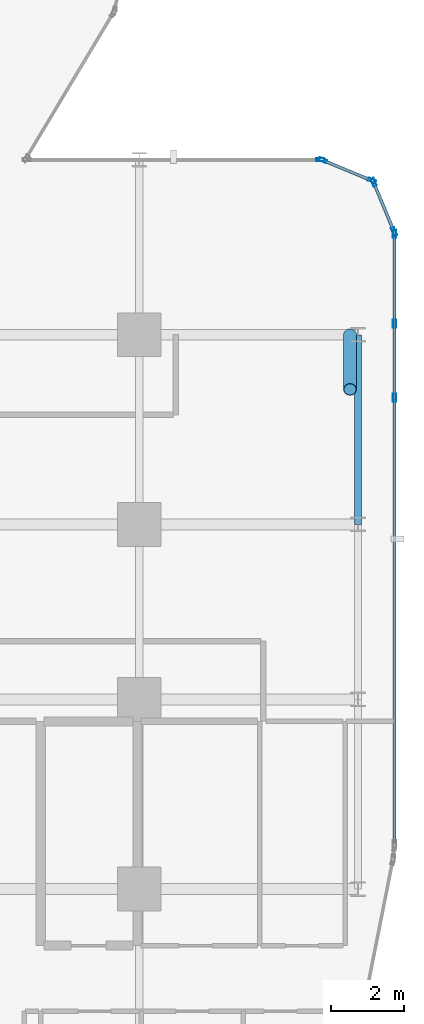
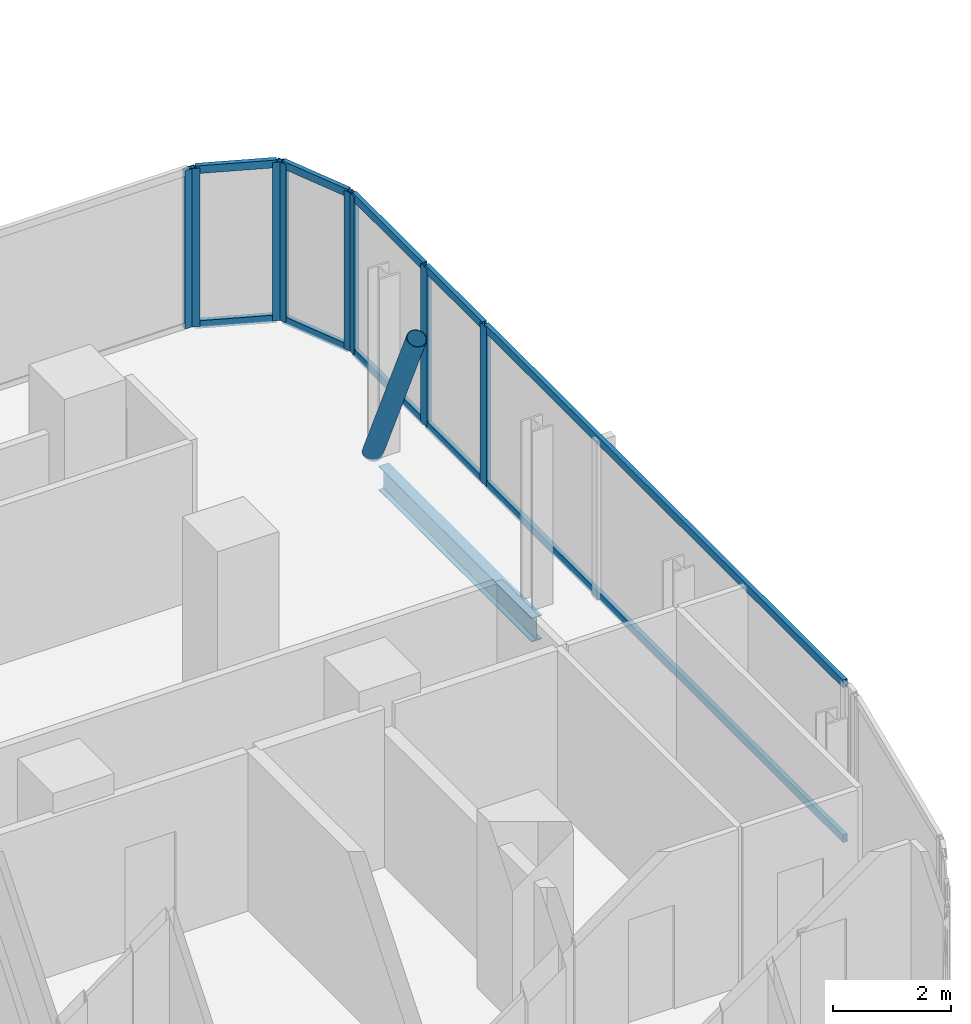
# One storey, part 19 of 34: 19 members, 1 beam, 6 elements without a shape of their own.
"""IFC4 building model written with IfcOpenShell, lengths in metres."""

from ifc_helpers import new_model, si_unit, direction, frame, origin, origin_2d, place, context, subcontext, project, spatial, hollow_rectangle, hollow_circle, i_section, extrude, material, layer, layer_set, material_profile, profile_set, type_object, element, aggregate, save


model = new_model("IFC4")

# Units and contexts
model_context = context("Model", 3, precision=1e-05, world=origin(), true_north=direction((0.0, 1.0)))
body_context = subcontext(model_context, "Body", "Model", "MODEL_VIEW")
ifc_project = project(units=[si_unit("LENGTHUNIT", "METRE"), si_unit("AREAUNIT", "SQUARE_METRE"), si_unit("VOLUMEUNIT", "CUBIC_METRE"), si_unit("PLANEANGLEUNIT", "RADIAN"), si_unit("MASSUNIT", "GRAM", prefix="KILO")], contexts=[model_context])

# Site, building, storey
site_placement = place(None, origin())
site = spatial("IfcSite", under=ifc_project, at=site_placement, CompositionType="ELEMENT")
building_placement = place(site_placement, origin())
building = spatial("IfcBuilding", under=site, at=building_placement, Name="Keshet Zoharim Tower", CompositionType="ELEMENT")
storey_placement = place(building_placement, frame((0.0, 0.0, 77.5)))
storey = spatial("IfcBuildingStorey", under=building, at=storey_placement, Name="L18", CompositionType="ELEMENT", Elevation=77.5)

# Beam
ifc_material_1 = material(Name="Steel S355", Category="steel")
ifc_material_profile_1 = material_profile(ifc_material_1, i_section(OverallWidth=0.199951171875, OverallDepth=0.5, WebThickness=0.01025390625, FlangeThickness=0.01611328125, FilletRadius=0.02099609375, at=origin_2d()), Name="IPE500")
ifc_profile_set_1 = profile_set([ifc_material_profile_1], Name="Steel S355")
beam_type = type_object("IfcBeamType", Name="BM-PRI-IP500", PredefinedType="BEAM", material=ifc_profile_set_1)
beam_placement = place(storey_placement, frame((69.0, 22.699951171875, -0.56494140625), z_axis=(0.0, 1.0, 0.0), x_axis=(-1.0, 0.0, 0.0)))
element("IfcBeam", 1, at=beam_placement, inside=storey, type_object=beam_type, Name="L18 Primary Girder Y-025", PredefinedType="BEAM", context=body_context, shape_type="SweptSolid", body=[
    extrude(i_section(OverallWidth=0.199951171875, OverallDepth=0.5, WebThickness=0.01025390625, FlangeThickness=0.01611328125, FilletRadius=0.02099609375, at=origin_2d()), origin(), (0.0, 0.0, 1.0), 5.199951171875),
])

# Curtain wall, member
ifc_material_2 = material(Name="Aluminium 6063-T6", Category="aluminium")
ifc_layer = layer(ifc_material_2, 0.169921875)
ifc_layer_set = layer_set([ifc_layer], Name="Aluminium 6063-T6")
curtain_wall_type = type_object("IfcCurtainWallType", Name="CW-SYS-02", PredefinedType="NOTDEFINED", material=ifc_layer_set)
curtain_wall_1_placement = place(storey_placement, origin())
curtain_wall_1 = element("IfcCurtainWall", 2, at=curtain_wall_1_placement, inside=storey, type_object=curtain_wall_type, Name="L18 Unitised Curtain Wall 13", PredefinedType="NOTDEFINED")
ifc_material_profile_2 = material_profile(ifc_material_2, hollow_rectangle(XDim=0.090087890625, YDim=0.219970703125, WallThickness=0.0048828125, at=origin_2d()), Name="MUL-90x220")
ifc_profile_set_2 = profile_set([ifc_material_profile_2], Name="Aluminium 6063-T6")
member_type_1 = type_object("IfcMemberType", Name="CWM-M22", PredefinedType="MULLION", material=ifc_profile_set_2)
member_1_placement = place(storey_placement, frame((67.965087890625, 32.699951171875, 0.0), z_axis=(0.0, 0.0, 1.0), x_axis=(0.0, 1.0, 0.0)))
member_1 = element("IfcMember", 3, at=member_1_placement, type_object=member_type_1, Name="CW-02 mullion 2", PredefinedType="MULLION", context=body_context, shape_type="SweptSolid", body=[
    extrude(hollow_rectangle(XDim=0.090087890625, YDim=0.219970703125, WallThickness=0.0048828125, at=origin_2d()), origin(), (0.0, 0.0, 1.0), 3.280029296875),
])
aggregate(curtain_wall_1, [member_1])

# Curtain wall, members
curtain_wall_2_placement = place(storey_placement, origin())
curtain_wall_2 = element("IfcCurtainWall", 4, at=curtain_wall_2_placement, inside=storey, type_object=curtain_wall_type, Name="L18 Unitised Curtain Wall 14", PredefinedType="NOTDEFINED")
member_2_placement = place(storey_placement, frame((68.0322265625, 32.6865234375, 0.0), z_axis=(0.0, 0.0, 1.0), x_axis=(0.382851849847, 0.92380975372, 0.0)))
member_2 = element("IfcMember", 5, at=member_2_placement, type_object=member_type_1, Name="CW-02 mullion 1", PredefinedType="MULLION", context=body_context, shape_type="SweptSolid", body=[
    extrude(hollow_rectangle(XDim=0.090087890625, YDim=0.219970703125, WallThickness=0.0048828125, at=origin_2d()), origin(), (0.0, 0.0, 1.0), 3.280029296875),
])
member_3_placement = place(storey_placement, frame((69.381591796875, 32.12744140625, 0.0), z_axis=(0.0, 0.0, 1.0), x_axis=(0.382851849847, 0.92380975372, 0.0)))
member_3 = element("IfcMember", 6, at=member_3_placement, type_object=member_type_1, Name="CW-02 mullion 2", PredefinedType="MULLION", context=body_context, shape_type="SweptSolid", body=[
    extrude(hollow_rectangle(XDim=0.090087890625, YDim=0.219970703125, WallThickness=0.0048828125, at=origin_2d()), origin(), (0.0, 0.0, 1.0), 3.280029296875),
])

curtain_wall_3_placement = place(storey_placement, origin())
curtain_wall_3 = element("IfcCurtainWall", 7, at=curtain_wall_3_placement, inside=storey, type_object=curtain_wall_type, Name="L18 Unitised Curtain Wall 15", PredefinedType="NOTDEFINED")
member_4_placement = place(storey_placement, frame((69.427490234375, 32.081787109375, 0.0), z_axis=(0.0, 0.0, 1.0), x_axis=(0.92380975372, 0.382851849847, 0.0)))
member_4 = element("IfcMember", 8, at=member_4_placement, type_object=member_type_1, Name="CW-02 mullion 1", PredefinedType="MULLION", context=body_context, shape_type="SweptSolid", body=[
    extrude(hollow_rectangle(XDim=0.090087890625, YDim=0.219970703125, WallThickness=0.0048828125, at=origin_2d()), origin(), (0.0, 0.0, 1.0), 3.280029296875),
])
member_5_placement = place(storey_placement, frame((69.986572265625, 30.732421875, 0.0), z_axis=(0.0, 0.0, 1.0), x_axis=(0.92380975372, 0.382851849847, 0.0)))
member_5 = element("IfcMember", 9, at=member_5_placement, type_object=member_type_1, Name="CW-02 mullion 2", PredefinedType="MULLION", context=body_context, shape_type="SweptSolid", body=[
    extrude(hollow_rectangle(XDim=0.090087890625, YDim=0.219970703125, WallThickness=0.0048828125, at=origin_2d()), origin(), (0.0, 0.0, 1.0), 3.280029296875),
])

curtain_wall_4_placement = place(storey_placement, origin())
curtain_wall_4 = element("IfcCurtainWall", 10, at=curtain_wall_4_placement, inside=storey, type_object=curtain_wall_type, Name="L18 Unitised Curtain Wall 16", PredefinedType="NOTDEFINED")
member_6_placement = place(storey_placement, frame((70.0, 30.6650390625, 0.0), z_axis=(0.0, 0.0, 1.0), x_axis=(1.0, 0.0, 0.0)))
member_6 = element("IfcMember", 11, at=member_6_placement, type_object=member_type_1, Name="CW-02 mullion 1", PredefinedType="MULLION", context=body_context, shape_type="SweptSolid", body=[
    extrude(hollow_rectangle(XDim=0.090087890625, YDim=0.219970703125, WallThickness=0.0048828125, at=origin_2d()), origin(), (0.0, 0.0, 1.0), 3.280029296875),
])
member_7_placement = place(storey_placement, frame((70.0, 28.19677734375, 0.0), z_axis=(0.0, 0.0, 1.0), x_axis=(1.0, 0.0, 0.0)))
member_7 = element("IfcMember", 12, at=member_7_placement, type_object=member_type_1, Name="CW-02 mullion 2", PredefinedType="MULLION", context=body_context, shape_type="SweptSolid", body=[
    extrude(hollow_rectangle(XDim=0.090087890625, YDim=0.219970703125, WallThickness=0.0048828125, at=origin_2d()), origin(), (0.0, 0.0, 1.0), 3.280029296875),
])

# Curtain wall, member
curtain_wall_5_placement = place(storey_placement, origin())
curtain_wall_5 = element("IfcCurtainWall", 13, at=curtain_wall_5_placement, inside=storey, type_object=curtain_wall_type, Name="L18 Unitised Curtain Wall 16 Part 2", PredefinedType="NOTDEFINED")
member_8_placement = place(storey_placement, frame((70.0, 26.17333984375, 0.0), z_axis=(0.0, 0.0, 1.0), x_axis=(1.0, 0.0, 0.0)))
member_8 = element("IfcMember", 14, at=member_8_placement, type_object=member_type_1, Name="CW-02 mullion 2", PredefinedType="MULLION", context=body_context, shape_type="SweptSolid", body=[
    extrude(hollow_rectangle(XDim=0.090087890625, YDim=0.219970703125, WallThickness=0.0048828125, at=origin_2d()), origin(), (0.0, 0.0, 1.0), 3.280029296875),
])

# Member
ifc_material_profile_3 = material_profile(ifc_material_2, hollow_rectangle(XDim=0.0849609375, YDim=0.159912109375, WallThickness=0.00439453125, at=origin_2d()), Name="TRN-85x160")
ifc_profile_set_3 = profile_set([ifc_material_profile_3], Name="Aluminium 6063-T6")
member_type_2 = type_object("IfcMemberType", Name="CWT-T16", PredefinedType="USERDEFINED", material=ifc_profile_set_3)
member_9_placement = place(storey_placement, frame((68.064697265625, 32.673095703125, 0.034912109375), z_axis=(0.923854189844, -0.382744609247, 0.0), x_axis=(0.382744609247, 0.923854189844, 0.0)))
member_9 = element("IfcMember", 15, at=member_9_placement, type_object=member_type_2, Name="CW-02 transom 1.1", ObjectType="TRANSOM", PredefinedType="USERDEFINED", context=body_context, shape_type="SweptSolid", body=[
    extrude(hollow_rectangle(XDim=0.0849609375, YDim=0.159912109375, WallThickness=0.00439453125, at=origin_2d()), origin(), (0.0, 0.0, 1.0), 1.390625),
])

member_10_placement = place(storey_placement, frame((68.064697265625, 32.673095703125, 3.2451171875), z_axis=(0.923854189844, -0.382744609247, 0.0), x_axis=(0.382744609247, 0.923854189844, 0.0)))
member_10 = element("IfcMember", 16, at=member_10_placement, type_object=member_type_2, Name="CW-02 transom 1.2", ObjectType="TRANSOM", PredefinedType="USERDEFINED", context=body_context, shape_type="SweptSolid", body=[
    extrude(hollow_rectangle(XDim=0.0849609375, YDim=0.159912109375, WallThickness=0.00439453125, at=origin_2d()), origin(), (0.0, 0.0, 1.0), 1.390625),
])

aggregate(curtain_wall_2, [member_2, member_3, member_9, member_10])

member_11_placement = place(storey_placement, frame((69.44091796875, 32.04931640625, 0.034912109375), z_axis=(0.382744609247, -0.923854189844, 0.0), x_axis=(0.923854189844, 0.382744609247, 0.0)))
member_11 = element("IfcMember", 17, at=member_11_placement, type_object=member_type_2, Name="CW-02 transom 1.1", ObjectType="TRANSOM", PredefinedType="USERDEFINED", context=body_context, shape_type="SweptSolid", body=[
    extrude(hollow_rectangle(XDim=0.0849609375, YDim=0.159912109375, WallThickness=0.00439453125, at=origin_2d()), origin(), (0.0, 0.0, 1.0), 1.390625),
])

member_12_placement = place(storey_placement, frame((69.44091796875, 32.04931640625, 3.2451171875), z_axis=(0.382744609247, -0.923854189844, 0.0), x_axis=(0.923854189844, 0.382744609247, 0.0)))
member_12 = element("IfcMember", 18, at=member_12_placement, type_object=member_type_2, Name="CW-02 transom 1.2", ObjectType="TRANSOM", PredefinedType="USERDEFINED", context=body_context, shape_type="SweptSolid", body=[
    extrude(hollow_rectangle(XDim=0.0849609375, YDim=0.159912109375, WallThickness=0.00439453125, at=origin_2d()), origin(), (0.0, 0.0, 1.0), 1.390625),
])

aggregate(curtain_wall_3, [member_4, member_5, member_11, member_12])

member_13_placement = place(storey_placement, frame((70.0, 30.6298828125, 0.034912109375), z_axis=(0.0, -1.0, 0.0), x_axis=(1.0, 0.0, 0.0)))
member_13 = element("IfcMember", 19, at=member_13_placement, type_object=member_type_2, Name="CW-02 transom 1.1", ObjectType="TRANSOM", PredefinedType="USERDEFINED", context=body_context, shape_type="SweptSolid", body=[
    extrude(hollow_rectangle(XDim=0.0849609375, YDim=0.159912109375, WallThickness=0.00439453125, at=origin_2d()), origin(), (0.0, 0.0, 1.0), 2.398193359375),
])

member_14_placement = place(storey_placement, frame((70.0, 30.6298828125, 3.2451171875), z_axis=(0.0, -1.0, 0.0), x_axis=(1.0, 0.0, 0.0)))
member_14 = element("IfcMember", 20, at=member_14_placement, type_object=member_type_2, Name="CW-02 transom 1.2", ObjectType="TRANSOM", PredefinedType="USERDEFINED", context=body_context, shape_type="SweptSolid", body=[
    extrude(hollow_rectangle(XDim=0.0849609375, YDim=0.159912109375, WallThickness=0.00439453125, at=origin_2d()), origin(), (0.0, 0.0, 1.0), 2.398193359375),
])

aggregate(curtain_wall_4, [member_6, member_7, member_13, member_14])

member_15_placement = place(storey_placement, frame((70.0, 28.16162109375, 0.034912109375), z_axis=(0.0, -1.0, 0.0), x_axis=(1.0, 0.0, 0.0)))
member_15 = element("IfcMember", 21, at=member_15_placement, type_object=member_type_2, Name="CW-02 transom 1.1", ObjectType="TRANSOM", PredefinedType="USERDEFINED", context=body_context, shape_type="SweptSolid", body=[
    extrude(hollow_rectangle(XDim=0.0849609375, YDim=0.159912109375, WallThickness=0.00439453125, at=origin_2d()), origin(), (0.0, 0.0, 1.0), 1.953369140625),
])

member_16_placement = place(storey_placement, frame((70.0, 28.16162109375, 3.2451171875), z_axis=(0.0, -1.0, 0.0), x_axis=(1.0, 0.0, 0.0)))
member_16 = element("IfcMember", 22, at=member_16_placement, type_object=member_type_2, Name="CW-02 transom 1.2", ObjectType="TRANSOM", PredefinedType="USERDEFINED", context=body_context, shape_type="SweptSolid", body=[
    extrude(hollow_rectangle(XDim=0.0849609375, YDim=0.159912109375, WallThickness=0.00439453125, at=origin_2d()), origin(), (0.0, 0.0, 1.0), 1.953369140625),
])

aggregate(curtain_wall_5, [member_8, member_15, member_16])

# Curtain wall, members
curtain_wall_6_placement = place(storey_placement, origin())
curtain_wall_6 = element("IfcCurtainWall", 23, at=curtain_wall_6_placement, inside=storey, type_object=curtain_wall_type, Name="L18 Unitised Curtain Wall 16 Part 3", PredefinedType="NOTDEFINED")
member_17_placement = place(storey_placement, frame((70.0, 26.13818359375, 0.034912109375), z_axis=(0.0, -1.0, 0.0), x_axis=(1.0, 0.0, 0.0)))
member_17 = element("IfcMember", 24, at=member_17_placement, type_object=member_type_2, Name="CW-02 transom 1.1", ObjectType="TRANSOM", PredefinedType="USERDEFINED", context=body_context, shape_type="SweptSolid", body=[
    extrude(hollow_rectangle(XDim=0.0849609375, YDim=0.159912109375, WallThickness=0.00439453125, at=origin_2d()), origin(), (0.0, 0.0, 1.0), 12.171142578125),
])
member_18_placement = place(storey_placement, frame((70.0, 26.13818359375, 3.2451171875), z_axis=(0.0, -1.0, 0.0), x_axis=(1.0, 0.0, 0.0)))
member_18 = element("IfcMember", 25, at=member_18_placement, type_object=member_type_2, Name="CW-02 transom 1.2", ObjectType="TRANSOM", PredefinedType="USERDEFINED", context=body_context, shape_type="SweptSolid", body=[
    extrude(hollow_rectangle(XDim=0.0849609375, YDim=0.159912109375, WallThickness=0.00439453125, at=origin_2d()), origin(), (0.0, 0.0, 1.0), 12.171142578125),
])
aggregate(curtain_wall_6, [member_17, member_18])

# Member
ifc_material_profile_4 = material_profile(ifc_material_1, hollow_circle(Radius=0.177734375, WallThickness=0.012451171875, at=origin_2d()), Name="CHS355x12.5")
ifc_profile_set_4 = profile_set([ifc_material_profile_4], Name="Steel S355")
member_type_3 = type_object("IfcMemberType", Name="MB-BR-C355", PredefinedType="BRACE", material=ifc_profile_set_4)
member_19_placement = place(storey_placement, frame((68.780029296875, 27.89990234375, 0.0), z_axis=(0.0, -0.415887731958, 0.909415963356), x_axis=(1.0, 0.0, 0.0)))
element("IfcMember", 26, at=member_19_placement, inside=storey, type_object=member_type_3, Name="L18 Perimeter Tube Brace 04", PredefinedType="BRACE", context=body_context, shape_type="SweptSolid", body=[
    extrude(hollow_circle(Radius=0.177734375, WallThickness=0.012451171875, at=origin_2d()), origin(), (0.0, 0.0, 1.0), 3.606689453125),
])

save(model, "model.ifc")
